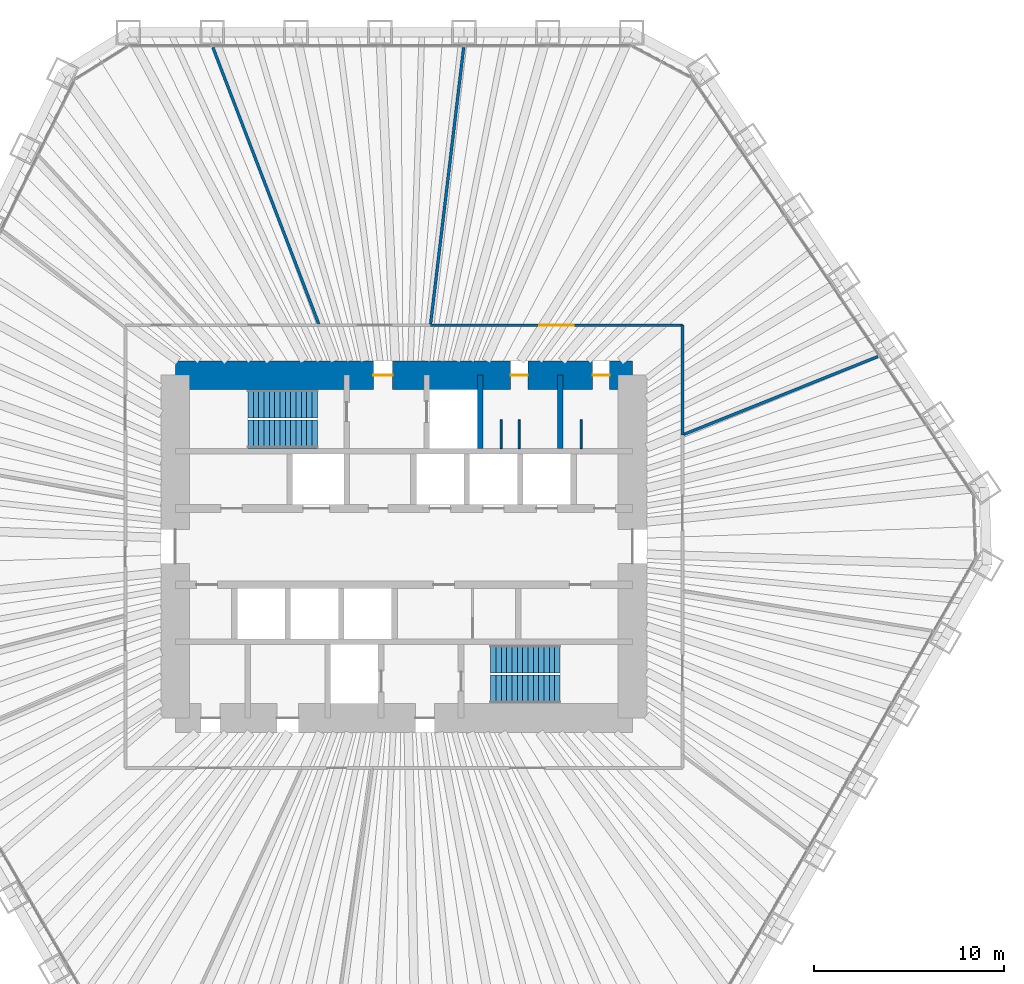
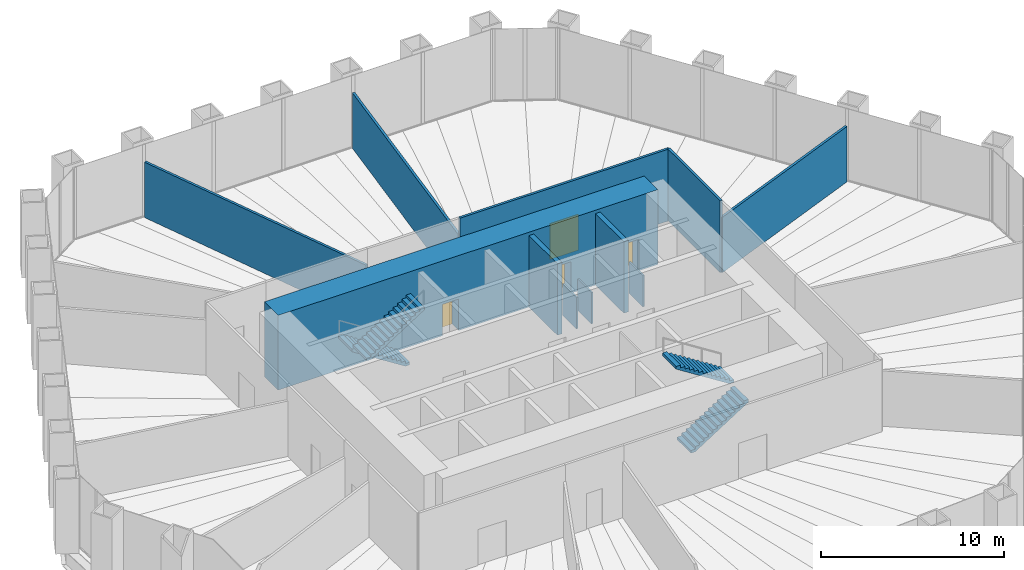
# One storey, part 12 of 13: 11 walls, 4 doors, 4 stair flights, 4 openings, 2 elements without a shape of their own.
"""IFC4 building model written with IfcOpenShell, lengths in metres."""

from ifc_helpers import new_model, si_unit, direction, frame, frame_2d, origin, place, context, subcontext, project, spatial, polyline, rectangle, outline, extrude, material, layer, layer_set, type_object, element, fill, aggregate, save


model = new_model("IFC4")

# Units and contexts
model_context = context("Model", 3, precision=1e-05, world=origin(), true_north=direction((0.0, 1.0)))
body_context = subcontext(model_context, "Body", "Model", "MODEL_VIEW")
ifc_project = project(units=[si_unit("LENGTHUNIT", "METRE"), si_unit("AREAUNIT", "SQUARE_METRE"), si_unit("VOLUMEUNIT", "CUBIC_METRE"), si_unit("PLANEANGLEUNIT", "RADIAN"), si_unit("MASSUNIT", "GRAM", prefix="KILO")], contexts=[model_context])

# Site, building, storey
site_placement = place(None, origin())
site = spatial("IfcSite", under=ifc_project, at=site_placement, CompositionType="ELEMENT")
building_placement = place(site_placement, origin())
building = spatial("IfcBuilding", under=site, at=building_placement, Name="Qingtian Harvest Tower", CompositionType="ELEMENT")
storey_placement = place(building_placement, frame((0.0, 0.0, 42.0)))
storey = spatial("IfcBuildingStorey", under=building, at=storey_placement, Name="L08", CompositionType="ELEMENT", Elevation=42.0)

# Walls
ifc_material_1 = material(Name="Precast concrete shaft panel", Category="concrete")
ifc_layer_1 = layer(ifc_material_1, 0.300048828125)
ifc_layer_set_1 = layer_set([ifc_layer_1], Name="Core shaft partition SW1 300")
wall_type_1 = type_object("IfcWallType", Name="Core shaft partition SW1 300", PredefinedType="PARTITIONING", material=ifc_layer_set_1)
for number, where, z_axis, x_axis, name in (
    (1, (4.0, 5.14990234375, 0.0), (0.0, 0.0, 1.0), (0.0, 1.0, 0.0), "Core shaft partition XN3 L08"),
    (2, (8.199951171875, 5.14990234375, 0.0), (0.0, 0.0, 1.0), (0.0, 1.0, 0.0), "Core shaft partition XN4 L08"),
):
    element("IfcWall", number, at=place(storey_placement, frame(where, z_axis=z_axis, x_axis=x_axis)), inside=storey, type_object=wall_type_1, Name=name, PredefinedType="PARTITIONING", context=body_context, shape_type="SweptSolid", body=[
        extrude(rectangle(XDim=3.85009765625, YDim=0.300048828125, at=frame_2d((1.925048828125, 0.0))), origin(), (0.0, 0.0, 1.0), 4.780029296875),
    ])

# Wall, openings, doors
ifc_material_2 = material(Name="Concrete fc' 70 MPa", Category="concrete")
ifc_layer_2 = layer(ifc_material_2, 1.5)
ifc_layer_set_2 = layer_set([ifc_layer_2], Name="Core wall RC1 1500")
wall_type_2 = type_object("IfcWallType", Name="Core wall RC1 1500", PredefinedType="SHEAR", material=ifc_layer_set_2)
wall_1_placement = place(storey_placement, frame((-12.0, 9.0, 0.0), z_axis=(0.0, 0.0, 1.0), x_axis=(1.0, 0.0, 0.0)))
wall_1 = element("IfcWall", 3, at=wall_1_placement, inside=storey, type_object=wall_type_2, Name="Core wall CN L08", PredefinedType="SHEAR", context=body_context, shape_type="SweptSolid", body=[
    extrude(rectangle(XDim=24.0, YDim=1.5, at=frame_2d((12.0, 0.0))), origin(), (0.0, 0.0, 1.0), 5.0),
])
opening_1_placement = place(wall_1_placement, frame((10.39990234375, 0.0, 0.0)))
opening_1 = element("IfcOpeningElement", 4, at=opening_1_placement, cuts=wall_1, Name="Opening FD1", PredefinedType="OPENING", context=body_context, shape_type="SweptSolid", body=[
    extrude(rectangle(XDim=1.0, YDim=2.10009765625, at=frame_2d((0.5, 1.050048828125))), frame((0.0, 0.760009765625, 0.0), z_axis=(0.0, -1.0, 0.0), x_axis=(1.0, 0.0, 0.0)), (0.0, 0.0, 1.0), 1.52001953125),
])
opening_2_placement = place(wall_1_placement, frame((17.60009765625, 0.0, 0.0)))
opening_2 = element("IfcOpeningElement", 5, at=opening_2_placement, cuts=wall_1, Name="Opening D1", PredefinedType="OPENING", context=body_context, shape_type="SweptSolid", body=[
    extrude(rectangle(XDim=0.89990234375, YDim=2.10009765625, at=frame_2d((0.449951171875, 1.050048828125))), frame((0.0, 0.760009765625, 0.0), z_axis=(0.0, -1.0, 0.0), x_axis=(1.0, 0.0, 0.0)), (0.0, 0.0, 1.0), 1.52001953125),
])
opening_3_placement = place(wall_1_placement, frame((21.89990234375, 0.0, 0.0)))
opening_3 = element("IfcOpeningElement", 6, at=opening_3_placement, cuts=wall_1, Name="Opening D1", PredefinedType="OPENING", context=body_context, shape_type="SweptSolid", body=[
    extrude(rectangle(XDim=0.89990234375, YDim=2.10009765625, at=frame_2d((0.449951171875, 1.050048828125))), frame((0.0, 0.760009765625, 0.0), z_axis=(0.0, -1.0, 0.0), x_axis=(1.0, 0.0, 0.0)), (0.0, 0.0, 1.0), 1.52001953125),
])
ifc_material_3 = material(Name="Steel-faced door leaf", Category="steel")
door_type_1 = type_object("IfcDoorType", Name="Fire door FD1 single 1 HR", OperationType="SINGLE_SWING_LEFT", PredefinedType="DOOR", material=ifc_material_3)
door_1_placement = place(opening_1_placement, origin())
door_1 = element("IfcDoor", 7, at=door_1_placement, inside=storey, type_object=door_type_1, Name="V1 door L08", OperationType="SINGLE_SWING_LEFT", OverallHeight=2.10009765625, OverallWidth=1.0, PredefinedType="DOOR", context=body_context, shape_type="SweptSolid", body=[
    extrude(rectangle(XDim=1.0, YDim=2.10009765625, at=frame_2d((0.5, 1.050048828125))), frame((0.0, 0.02490234375, 0.0), z_axis=(0.0, -1.0, 0.0), x_axis=(1.0, 0.0, 0.0)), (0.0, 0.0, 1.0), 0.050048828125),
])
fill(opening_1, door_1)
ifc_material_4 = material(Name="Laminated timber door leaf", Category="wood")
door_type_2 = type_object("IfcDoorType", Name="Toilet door D1 single", OperationType="SINGLE_SWING_LEFT", PredefinedType="DOOR", material=ifc_material_4)
door_2_placement = place(opening_2_placement, origin())
door_2 = element("IfcDoor", 8, at=door_2_placement, inside=storey, type_object=door_type_2, Name="WCM door L08", OperationType="SINGLE_SWING_LEFT", OverallHeight=2.10009765625, OverallWidth=0.89990234375, PredefinedType="DOOR", context=body_context, shape_type="SweptSolid", body=[
    extrude(rectangle(XDim=0.89990234375, YDim=2.10009765625, at=frame_2d((0.449951171875, 1.050048828125))), frame((0.0, 0.02490234375, 0.0), z_axis=(0.0, -1.0, 0.0), x_axis=(1.0, 0.0, 0.0)), (0.0, 0.0, 1.0), 0.050048828125),
])
fill(opening_2, door_2)
door_3_placement = place(opening_3_placement, origin())
door_3 = element("IfcDoor", 9, at=door_3_placement, inside=storey, type_object=door_type_2, Name="WCF door L08", OperationType="SINGLE_SWING_LEFT", OverallHeight=2.10009765625, OverallWidth=0.89990234375, PredefinedType="DOOR", context=body_context, shape_type="SweptSolid", body=[
    extrude(rectangle(XDim=0.89990234375, YDim=2.10009765625, at=frame_2d((0.449951171875, 1.050048828125))), frame((0.0, 0.02490234375, 0.0), z_axis=(0.0, -1.0, 0.0), x_axis=(1.0, 0.0, 0.0)), (0.0, 0.0, 1.0), 0.050048828125),
])
fill(opening_3, door_3)

# Wall
ifc_material_5 = material(Name="Gypsum board on steel studs", Category="steel")
ifc_layer_3 = layer(ifc_material_5, 0.14990234375)
ifc_layer_set_3 = layer_set([ifc_layer_3], Name="Partition PT1 150")
wall_type_3 = type_object("IfcWallType", Name="Partition PT1 150", PredefinedType="PARTITIONING", material=ifc_layer_set_3)
wall_2_placement = place(storey_placement, frame((3.135009765625, 26.20068359375, 0.0), z_axis=(0.0, 0.0, 1.0), x_axis=(-0.118796980211, -0.992918565388, 0.0)))
element("IfcWall", 10, at=wall_2_placement, inside=storey, type_object=wall_type_3, Name="Leafy greens growing room wall L08", PredefinedType="PARTITIONING", context=body_context, shape_type="SweptSolid", body=[
    extrude(rectangle(XDim=14.6796875, YDim=0.14990234375, at=frame_2d((7.33984375, 0.0))), origin(), (0.0, 0.0, 1.0), 3.699951171875),
])

# Wall, opening, door
wall_3_placement = place(storey_placement, frame((1.39111328125, 11.625, 0.0), z_axis=(0.0, 0.0, 1.0), x_axis=(1.0, 0.0, 0.0)))
wall_3 = element("IfcWall", 11, at=wall_3_placement, inside=storey, type_object=wall_type_3, Name="Leafy greens growing room wall L08", PredefinedType="PARTITIONING", context=body_context, shape_type="SweptSolid", body=[
    extrude(rectangle(XDim=13.23388671875, YDim=0.14990234375, at=frame_2d((6.616943359375, 0.0))), origin(), (0.0, 0.0, 1.0), 4.800048828125),
])
opening_4_placement = place(wall_3_placement, frame((5.717041015625, 0.0, 0.0)))
opening_4 = element("IfcOpeningElement", 12, at=opening_4_placement, cuts=wall_3, Name="Opening D3", PredefinedType="OPENING", context=body_context, shape_type="SweptSolid", body=[
    extrude(rectangle(XDim=1.800048828125, YDim=2.39990234375, at=frame_2d((0.89990234375, 1.199951171875))), frame((0.0, 0.0849609375, 0.0), z_axis=(0.0, -1.0, 0.0), x_axis=(1.0, 0.0, 0.0)), (0.0, 0.0, 1.0), 0.169921875),
])
ifc_material_6 = material(Name="Laminated timber door leaf", Category="wood")
door_type_3 = type_object("IfcDoorType", Name="Room door D3 double", OperationType="DOUBLE_DOOR_DOUBLE_SWING", PredefinedType="DOOR", material=ifc_material_6)
door_4_placement = place(opening_4_placement, origin())
door_4 = element("IfcDoor", 13, at=door_4_placement, inside=storey, type_object=door_type_3, Name="Leafy greens growing room door L08", OperationType="DOUBLE_DOOR_DOUBLE_SWING", OverallHeight=2.39990234375, OverallWidth=1.800048828125, PredefinedType="DOOR", context=body_context, shape_type="SweptSolid", body=[
    extrude(rectangle(XDim=1.800048828125, YDim=2.39990234375, at=frame_2d((0.89990234375, 1.199951171875))), frame((0.0, 0.02490234375, 0.0), z_axis=(0.0, -1.0, 0.0), x_axis=(1.0, 0.0, 0.0)), (0.0, 0.0, 1.0), 0.050048828125),
])
fill(opening_4, door_4)

# Walls
wall_4_placement = place(storey_placement, frame((14.625, 11.625, 0.0), z_axis=(0.0, 0.0, 1.0), x_axis=(0.0, -1.0, 0.0)))
element("IfcWall", 14, at=wall_4_placement, inside=storey, type_object=wall_type_3, Name="Leafy greens growing room wall L08", PredefinedType="PARTITIONING", context=body_context, shape_type="SweptSolid", body=[
    extrude(rectangle(XDim=5.7607421875, YDim=0.14990234375, at=frame_2d((2.88037109375, 0.0))), origin(), (0.0, 0.0, 1.0), 4.800048828125),
])
wall_5_placement = place(storey_placement, frame((24.877197265625, 9.975341796875, 0.0), z_axis=(0.0, 0.0, 1.0), x_axis=(-0.928157765849, -0.372186998288, 0.0)))
element("IfcWall", 15, at=wall_5_placement, inside=storey, type_object=wall_type_3, Name="Leafy greens growing room wall L08", PredefinedType="PARTITIONING", context=body_context, shape_type="SweptSolid", body=[
    extrude(rectangle(XDim=11.045654296875, YDim=0.14990234375, at=frame_2d((5.52294921875, 0.0))), origin(), (0.0, 0.0, 1.0), 3.699951171875),
])
wall_6_placement = place(storey_placement, frame((-10.031005859375, 26.20654296875, 0.0), z_axis=(0.0, 0.0, 1.0), x_axis=(0.35747288505, -0.933923517454, 0.0)))
element("IfcWall", 16, at=wall_6_placement, inside=storey, type_object=wall_type_3, Name="Leafy greens growing room wall L08", PredefinedType="PARTITIONING", context=body_context, shape_type="SweptSolid", body=[
    extrude(rectangle(XDim=15.61328125, YDim=0.14990234375, at=frame_2d((7.806640625, 0.0))), origin(), (0.0, 0.0, 1.0), 3.699951171875),
])
ifc_material_7 = material(Name="Compact laminate cubicle partition", Category="plastic")
ifc_layer_4 = layer(ifc_material_7, 0.10009765625)
ifc_layer_set_4 = layer_set([ifc_layer_4], Name="WC cubicle partition WP1 100")
wall_type_4 = type_object("IfcWallType", Name="WC cubicle partition WP1 100", PredefinedType="PARTITIONING", material=ifc_layer_set_4)
for number, where, z_axis, x_axis, name in (
    (17, (5.10009765625, 5.14990234375, 0.0), (0.0, 0.0, 1.0), (0.0, 1.0, 0.0), "WC cubicle partition WCM L08"),
    (18, (6.050048828125, 5.14990234375, 0.0), (0.0, 0.0, 1.0), (0.0, 1.0, 0.0), "WC cubicle partition WCM L08"),
    (19, (9.300048828125, 5.14990234375, 0.0), (0.0, 0.0, 1.0), (0.0, 1.0, 0.0), "WC cubicle partition WCF L08"),
):
    element("IfcWall", number, at=place(storey_placement, frame(where, z_axis=z_axis, x_axis=x_axis)), inside=storey, type_object=wall_type_4, Name=name, PredefinedType="PARTITIONING", context=body_context, shape_type="SweptSolid", body=[
        extrude(rectangle(XDim=1.5, YDim=0.10009765625, at=frame_2d((0.75, 0.0))), origin(), (0.0, 0.0, 1.0), 2.10009765625),
    ])

# Stair, stair flights
ifc_material_8 = material(Name="Concrete fc' 35 MPa", Category="concrete")
stair_type = type_object("IfcStairType", Name="Special stair ST2 5000", PredefinedType="HALF_TURN_STAIR", material=ifc_material_8)
stair_1_placement = place(storey_placement, origin())
stair_1 = element("IfcStair", 20, at=stair_1_placement, inside=storey, type_object=stair_type, Name="Special stair S1 L08", PredefinedType="HALF_TURN_STAIR")
ifc_material_9 = material(Name="Concrete fc' 35 MPa", Category="concrete")
stair_flight_type = type_object("IfcStairFlightType", Name="Stair flight SF2 5000", PredefinedType="STRAIGHT", material=ifc_material_9)
stair_flight_1_placement = place(storey_placement, frame((-4.550048828125, 7.5, 0.0), z_axis=(0.0, 0.0, 1.0), x_axis=(-1.0, 0.0, 0.0)))
stair_flight_1 = element("IfcStairFlight", 21, at=stair_flight_1_placement, type_object=stair_flight_type, Name="S1 flight 1", NumberOfRisers=14, NumberOfTreads=13, PredefinedType="STRAIGHT", RiserHeight=0.178571429, TreadLength=0.28, context=body_context, shape_type="SweptSolid", body=[
    extrude(outline(polyline([(0.0, 0.0), (0.0, 0.178466796875), (0.280029296875, 0.178466796875), (0.280029296875, 0.357177734375), (0.56005859375, 0.357177734375), (0.56005859375, 0.53564453125), (0.840087890625, 0.53564453125), (0.840087890625, 0.71435546875), (1.1201171875, 0.71435546875), (1.1201171875, 0.892822265625), (1.39990234375, 0.892822265625), (1.39990234375, 1.071533203125), (1.679931640625, 1.071533203125), (1.679931640625, 1.25), (1.9599609375, 1.25), (1.9599609375, 1.428466796875), (2.239990234375, 1.428466796875), (2.239990234375, 1.607177734375), (2.52001953125, 1.607177734375), (2.52001953125, 1.78564453125), (2.800048828125, 1.78564453125), (2.800048828125, 1.96435546875), (3.080078125, 1.96435546875), (3.080078125, 2.142822265625), (3.360107421875, 2.142822265625), (3.360107421875, 2.321533203125), (3.639892578125, 2.321533203125), (3.639892578125, 2.5), (3.639892578125, 2.1435546875), (0.27880859375, 0.0), (0.0, 0.0)])), frame((0.0, 0.75, 0.0), z_axis=(0.0, -1.0, 0.0), x_axis=(1.0, 0.0, 0.0)), (0.0, 0.0, 1.0), 1.5),
])
stair_flight_2_placement = place(storey_placement, frame((-8.18994140625, 5.89990234375, 2.5), z_axis=(0.0, 0.0, 1.0), x_axis=(1.0, 0.0, 0.0)))
stair_flight_2 = element("IfcStairFlight", 22, at=stair_flight_2_placement, type_object=stair_flight_type, Name="S1 flight 2", NumberOfRisers=14, NumberOfTreads=13, PredefinedType="STRAIGHT", RiserHeight=0.178571429, TreadLength=0.28, context=body_context, shape_type="SweptSolid", body=[
    extrude(outline(polyline([(0.0, 0.0), (0.0, 0.178466796875), (0.280029296875, 0.178466796875), (0.280029296875, 0.357177734375), (0.56005859375, 0.357177734375), (0.56005859375, 0.53564453125), (0.840087890625, 0.53564453125), (0.840087890625, 0.71435546875), (1.1201171875, 0.71435546875), (1.1201171875, 0.892822265625), (1.39990234375, 0.892822265625), (1.39990234375, 1.071533203125), (1.679931640625, 1.071533203125), (1.679931640625, 1.25), (1.9599609375, 1.25), (1.9599609375, 1.428466796875), (2.239990234375, 1.428466796875), (2.239990234375, 1.607177734375), (2.52001953125, 1.607177734375), (2.52001953125, 1.78564453125), (2.800048828125, 1.78564453125), (2.800048828125, 1.96435546875), (3.080078125, 1.96435546875), (3.080078125, 2.142822265625), (3.360107421875, 2.142822265625), (3.360107421875, 2.321533203125), (3.639892578125, 2.321533203125), (3.639892578125, 2.5), (3.639892578125, 2.1435546875), (0.27880859375, 0.0), (0.0, 0.0)])), frame((0.0, 0.75, 0.0), z_axis=(0.0, -1.0, 0.0), x_axis=(1.0, 0.0, 0.0)), (0.0, 0.0, 1.0), 1.5),
])
aggregate(stair_1, [stair_flight_1, stair_flight_2])

stair_2_placement = place(storey_placement, origin())
stair_2 = element("IfcStair", 23, at=stair_2_placement, inside=storey, type_object=stair_type, Name="Special stair S2 L08", PredefinedType="HALF_TURN_STAIR")
stair_flight_3_placement = place(storey_placement, frame((4.550048828125, -7.5, 0.0), z_axis=(0.0, 0.0, 1.0), x_axis=(1.0, 0.0, 0.0)))
stair_flight_3 = element("IfcStairFlight", 24, at=stair_flight_3_placement, type_object=stair_flight_type, Name="S2 flight 1", NumberOfRisers=14, NumberOfTreads=13, PredefinedType="STRAIGHT", RiserHeight=0.178571429, TreadLength=0.28, context=body_context, shape_type="SweptSolid", body=[
    extrude(outline(polyline([(0.0, 0.0), (0.0, 0.178466796875), (0.280029296875, 0.178466796875), (0.280029296875, 0.357177734375), (0.56005859375, 0.357177734375), (0.56005859375, 0.53564453125), (0.840087890625, 0.53564453125), (0.840087890625, 0.71435546875), (1.1201171875, 0.71435546875), (1.1201171875, 0.892822265625), (1.39990234375, 0.892822265625), (1.39990234375, 1.071533203125), (1.679931640625, 1.071533203125), (1.679931640625, 1.25), (1.9599609375, 1.25), (1.9599609375, 1.428466796875), (2.239990234375, 1.428466796875), (2.239990234375, 1.607177734375), (2.52001953125, 1.607177734375), (2.52001953125, 1.78564453125), (2.800048828125, 1.78564453125), (2.800048828125, 1.96435546875), (3.080078125, 1.96435546875), (3.080078125, 2.142822265625), (3.360107421875, 2.142822265625), (3.360107421875, 2.321533203125), (3.639892578125, 2.321533203125), (3.639892578125, 2.5), (3.639892578125, 2.1435546875), (0.27880859375, 0.0), (0.0, 0.0)])), frame((0.0, 0.75, 0.0), z_axis=(0.0, -1.0, 0.0), x_axis=(1.0, 0.0, 0.0)), (0.0, 0.0, 1.0), 1.5),
])
stair_flight_4_placement = place(storey_placement, frame((8.18994140625, -5.89990234375, 2.5), z_axis=(0.0, 0.0, 1.0), x_axis=(-1.0, 0.0, 0.0)))
stair_flight_4 = element("IfcStairFlight", 25, at=stair_flight_4_placement, type_object=stair_flight_type, Name="S2 flight 2", NumberOfRisers=14, NumberOfTreads=13, PredefinedType="STRAIGHT", RiserHeight=0.178571429, TreadLength=0.28, context=body_context, shape_type="SweptSolid", body=[
    extrude(outline(polyline([(0.0, 0.0), (0.0, 0.178466796875), (0.280029296875, 0.178466796875), (0.280029296875, 0.357177734375), (0.56005859375, 0.357177734375), (0.56005859375, 0.53564453125), (0.840087890625, 0.53564453125), (0.840087890625, 0.71435546875), (1.1201171875, 0.71435546875), (1.1201171875, 0.892822265625), (1.39990234375, 0.892822265625), (1.39990234375, 1.071533203125), (1.679931640625, 1.071533203125), (1.679931640625, 1.25), (1.9599609375, 1.25), (1.9599609375, 1.428466796875), (2.239990234375, 1.428466796875), (2.239990234375, 1.607177734375), (2.52001953125, 1.607177734375), (2.52001953125, 1.78564453125), (2.800048828125, 1.78564453125), (2.800048828125, 1.96435546875), (3.080078125, 1.96435546875), (3.080078125, 2.142822265625), (3.360107421875, 2.142822265625), (3.360107421875, 2.321533203125), (3.639892578125, 2.321533203125), (3.639892578125, 2.5), (3.639892578125, 2.1435546875), (0.27880859375, 0.0), (0.0, 0.0)])), frame((0.0, 0.75, 0.0), z_axis=(0.0, -1.0, 0.0), x_axis=(1.0, 0.0, 0.0)), (0.0, 0.0, 1.0), 1.5),
])
aggregate(stair_2, [stair_flight_3, stair_flight_4])

save(model, "model.ifc")
